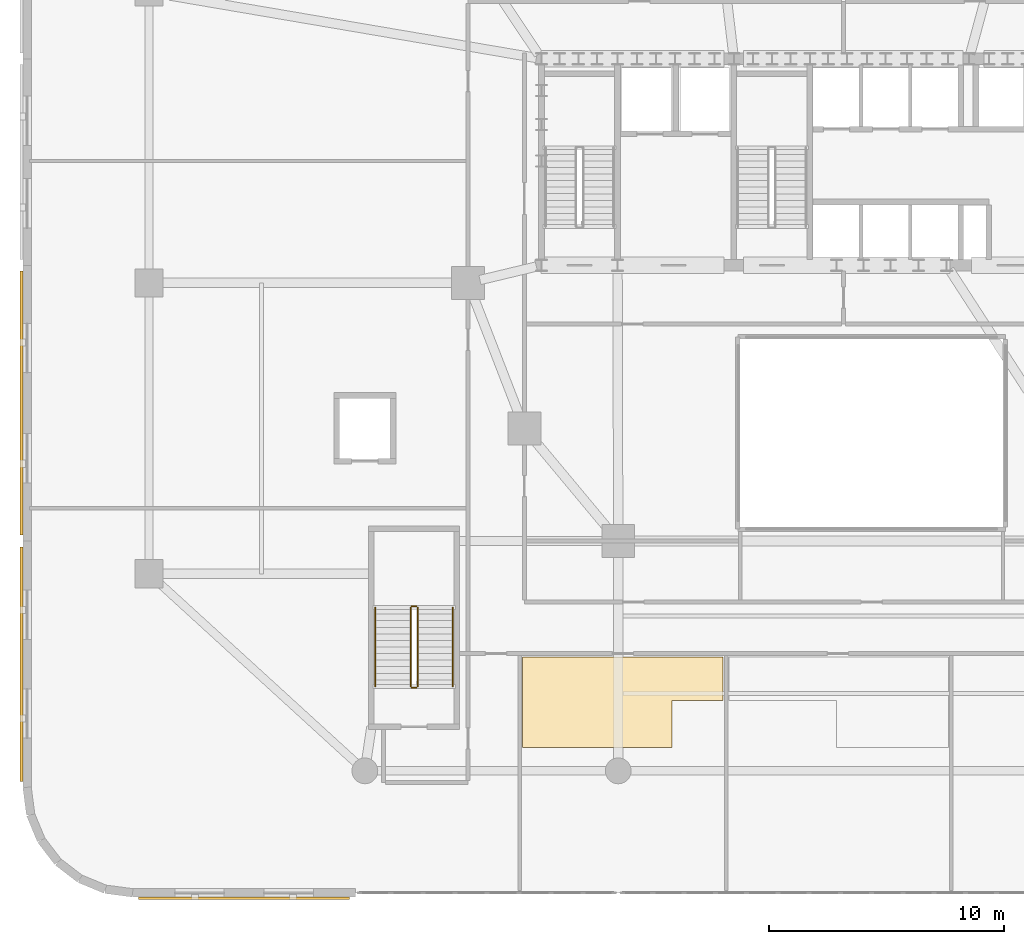
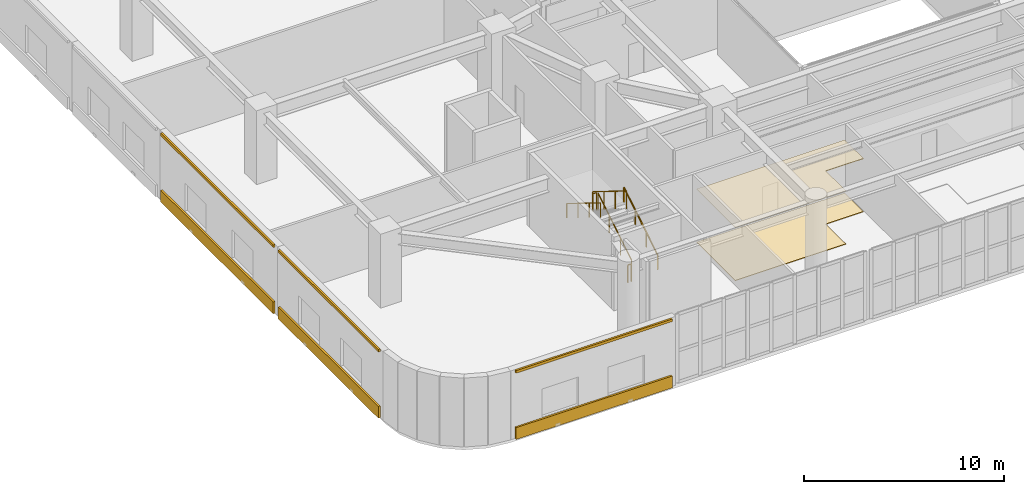
# One storey, part 19 of 25: 8 coverings, 6 railings.
"""IFC4 building model written with IfcOpenShell, lengths in metres."""

from ifc_helpers import new_model, si_unit, direction, frame, origin, origin_2d, place, context, subcontext, project, spatial, polyline, rectangle, outline, extrude, material, layer, layer_set, type_object, element, save


model = new_model("IFC4")

# Units and contexts
model_context = context("Model", 3, precision=1e-05, world=origin(), true_north=direction((0.0, 1.0)))
body_context = subcontext(model_context, "Body", "Model", "MODEL_VIEW")
ifc_project = project(units=[si_unit("LENGTHUNIT", "METRE"), si_unit("AREAUNIT", "SQUARE_METRE"), si_unit("VOLUMEUNIT", "CUBIC_METRE"), si_unit("PLANEANGLEUNIT", "RADIAN"), si_unit("MASSUNIT", "GRAM", prefix="KILO")], contexts=[model_context])

# Site, building, storey
site_placement = place(None, origin())
site = spatial("IfcSite", under=ifc_project, at=site_placement, CompositionType="ELEMENT")
building_placement = place(site_placement, origin())
building = spatial("IfcBuilding", under=site, at=building_placement, Name="Haldorwick Loom Tower", CompositionType="ELEMENT")
storey_placement = place(building_placement, frame((0.0, 0.0, 15.0)))
storey = spatial("IfcBuildingStorey", under=building, at=storey_placement, Name="L03", CompositionType="ELEMENT", Elevation=15.0)

# Coverings
ifc_material_1 = material(Name="Corbelled Pressed Clay Face Brick Veneer", Category="masonry")
ifc_layer_1 = layer(ifc_material_1, 0.110107421875, Name="Corbelled Pressed Clay Face Brick Veneer", Category="masonry")
ifc_layer_set_1 = layer_set([ifc_layer_1], Name="Corbelled Pressed Clay Face Brick Veneer")
covering_type_1 = type_object("IfcCoveringType", Name="ARC-COV-BRICK110", PredefinedType="CLADDING", material=ifc_layer_set_1)
covering_1_placement = place(storey_placement, origin())
element("IfcCovering", 1, at=covering_1_placement, inside=storey, type_object=covering_type_1, Name="L03 Sill Face-Brick Spandrel 30", PredefinedType="CLADDING", context=body_context, shape_type="SweptSolid", body=[
    extrude(outline(polyline([(-0.2900390625, 26.5), (-0.2900390625, 15.25), (-0.179931640625, 15.25), (-0.179931640625, 26.5), (-0.2900390625, 26.5)])), origin(), (0.0, 0.0, 1.0), 0.719970703125),
])
covering_2_placement = place(storey_placement, frame((0.0, 0.0, 4.0400390625)))
element("IfcCovering", 2, at=covering_2_placement, inside=storey, type_object=covering_type_1, Name="L03 Head Face-Brick Lintel Band 30", PredefinedType="CLADDING", context=body_context, shape_type="SweptSolid", body=[
    extrude(outline(polyline([(-0.2900390625, 26.5), (-0.2900390625, 15.25), (-0.179931640625, 15.25), (-0.179931640625, 26.5), (-0.2900390625, 26.5)])), origin(), (0.0, 0.0, 1.0), 0.159912109375),
])
covering_3_placement = place(storey_placement, origin())
element("IfcCovering", 3, at=covering_3_placement, inside=storey, type_object=covering_type_1, Name="L03 Sill Face-Brick Spandrel 31", PredefinedType="CLADDING", context=body_context, shape_type="SweptSolid", body=[
    extrude(outline(polyline([(-0.2900390625, 14.75), (-0.2900390625, 4.75), (-0.179931640625, 4.75), (-0.179931640625, 14.75), (-0.2900390625, 14.75)])), origin(), (0.0, 0.0, 1.0), 0.719970703125),
])
covering_4_placement = place(storey_placement, frame((0.0, 0.0, 4.0400390625)))
element("IfcCovering", 4, at=covering_4_placement, inside=storey, type_object=covering_type_1, Name="L03 Head Face-Brick Lintel Band 31", PredefinedType="CLADDING", context=body_context, shape_type="SweptSolid", body=[
    extrude(outline(polyline([(-0.2900390625, 14.75), (-0.2900390625, 4.75), (-0.179931640625, 4.75), (-0.179931640625, 14.75), (-0.2900390625, 14.75)])), origin(), (0.0, 0.0, 1.0), 0.159912109375),
])
covering_5_placement = place(storey_placement, origin())
element("IfcCovering", 5, at=covering_5_placement, inside=storey, type_object=covering_type_1, Name="L03 Sill Face-Brick Spandrel 38", PredefinedType="CLADDING", context=body_context, shape_type="SweptSolid", body=[
    extrude(outline(polyline([(4.75, -0.2900390625), (13.75, -0.2900390625), (13.75, -0.179931640625), (4.75, -0.179931640625), (4.75, -0.2900390625)])), origin(), (0.0, 0.0, 1.0), 0.719970703125),
])
covering_6_placement = place(storey_placement, frame((0.0, 0.0, 4.0400390625)))
element("IfcCovering", 6, at=covering_6_placement, inside=storey, type_object=covering_type_1, Name="L03 Head Face-Brick Lintel Band 38", PredefinedType="CLADDING", context=body_context, shape_type="SweptSolid", body=[
    extrude(outline(polyline([(4.75, -0.2900390625), (13.75, -0.2900390625), (13.75, -0.179931640625), (4.75, -0.179931640625), (4.75, -0.2900390625)])), origin(), (0.0, 0.0, 1.0), 0.159912109375),
])
ifc_material_2 = material(Name="Mineral Fibre Acoustic Ceiling Tile")
ifc_layer_2 = layer(ifc_material_2, 0.0400390625, Name="Mineral Fibre Acoustic Ceiling Tile")
ifc_layer_set_2 = layer_set([ifc_layer_2], Name="Mineral Fibre Acoustic Ceiling Tile")
covering_type_2 = type_object("IfcCoveringType", Name="ARC-COV-CEIL", PredefinedType="CEILING", material=ifc_layer_set_2)
covering_7_placement = place(storey_placement, frame((0.0, 0.0, 3.22509765625)))
element("IfcCovering", 7, at=covering_7_placement, inside=storey, type_object=covering_type_2, Name="L03 Acoustic Suspended Ceiling 1", PredefinedType="CEILING", context=body_context, shape_type="SweptSolid", body=[
    extrude(outline(polyline([(21.1298828125, 6.199951171875), (27.5, 6.199951171875), (27.5, 8.199951171875), (29.669921875, 8.199951171875), (29.669921875, 10.06005859375), (21.1298828125, 10.06005859375), (21.1298828125, 6.199951171875)])), origin(), (0.0, 0.0, 1.0), 0.039794921875),
])
ifc_material_3 = material(Name="Polished Aggregate Terrazzo Finish")
ifc_layer_3 = layer(ifc_material_3, 0.030029296875, Name="Polished Aggregate Terrazzo Finish")
ifc_layer_set_3 = layer_set([ifc_layer_3], Name="Polished Aggregate Terrazzo Finish")
covering_type_3 = type_object("IfcCoveringType", Name="ARC-COV-FLOOR", PredefinedType="FLOORING", material=ifc_layer_set_3)
covering_8_placement = place(storey_placement, origin())
element("IfcCovering", 8, at=covering_8_placement, inside=storey, type_object=covering_type_3, Name="L03 Floor Finish 1", PredefinedType="FLOORING", context=body_context, shape_type="SweptSolid", body=[
    extrude(outline(polyline([(21.1298828125, 6.199951171875), (27.5, 6.199951171875), (27.5, 8.199951171875), (29.669921875, 8.199951171875), (29.669921875, 10.06005859375), (21.1298828125, 10.06005859375), (21.1298828125, 6.199951171875)])), origin(), (0.0, 0.0, 1.0), 0.030029296875),
])

# Railings
ifc_material_4 = material(Name="Steel CSA G40.21 350W", Category="steel")
railing_type_1 = type_object("IfcRailingType", Name="ARC-RLG-GUARD112", PredefinedType="GUARDRAIL", material=ifc_material_4)
railing_1_placement = place(storey_placement, frame((16.64990234375, 8.800048828125, 0.173095703125)))
element("IfcRailing", 9, at=railing_1_placement, inside=storey, type_object=railing_type_1, Name="L03 ST-P1 stair guard 1", PredefinedType="GUARDRAIL", context=body_context, shape_type="SweptSolid", body=[
    extrude(rectangle(XDim=0.048095703125, YDim=0.048095703125, at=origin_2d()), frame((0.0, 0.0, 1.076171875), z_axis=(0.0, 0.850606129759, 0.525803396734), x_axis=(-1.0, 0.0, 0.0)), (0.0, 0.0, 1.0), 3.949951171875),
    extrude(rectangle(XDim=0.0419921875, YDim=0.0419921875, at=origin_2d()), origin(), (0.0, 0.0, 1.0), 1.052001953125),
    extrude(rectangle(XDim=0.0419921875, YDim=0.0419921875, at=origin_2d()), frame((0.0, 1.119873046875, 0.6923828125)), (0.0, 0.0, 1.0), 1.052001953125),
    extrude(rectangle(XDim=0.0419921875, YDim=0.0419921875, at=origin_2d()), frame((0.0, 2.239990234375, 1.384521484375)), (0.0, 0.0, 1.0), 1.052001953125),
    extrude(rectangle(XDim=0.0419921875, YDim=0.0419921875, at=origin_2d()), frame((0.0, 3.35986328125, 2.076904296875)), (0.0, 0.0, 1.0), 1.052001953125),
])
railing_2_placement = place(storey_placement, frame((16.60009765625, 12.2099609375, 2.25)))
element("IfcRailing", 10, at=railing_2_placement, inside=storey, type_object=railing_type_1, Name="L03 ST-P1 stair guard 2", PredefinedType="GUARDRAIL", context=body_context, shape_type="SweptSolid", body=[
    extrude(rectangle(XDim=0.048095703125, YDim=0.048095703125, at=origin_2d()), frame((0.0, 0.0, 1.076171875), z_axis=(-1.0, 0.0, 0.0), x_axis=(0.0, -1.0, 0.0)), (0.0, 0.0, 1.0), 0.2001953125),
    extrude(rectangle(XDim=0.0419921875, YDim=0.0419921875, at=origin_2d()), origin(), (0.0, 0.0, 1.0), 1.052001953125),
    extrude(rectangle(XDim=0.0419921875, YDim=0.0419921875, at=origin_2d()), frame((-0.2001953125, 0.0, 0.0)), (0.0, 0.0, 1.0), 1.052001953125),
])
railing_3_placement = place(storey_placement, frame((16.35009765625, 12.159912109375, 2.423095703125)))
element("IfcRailing", 11, at=railing_3_placement, inside=storey, type_object=railing_type_1, Name="L03 ST-P1 stair guard 3", PredefinedType="GUARDRAIL", context=body_context, shape_type="SweptSolid", body=[
    extrude(rectangle(XDim=0.048095703125, YDim=0.048095703125, at=origin_2d()), frame((0.0, 0.0, 1.076171875), z_axis=(0.0, -0.850606129759, 0.525803396734), x_axis=(1.0, 0.0, 0.0)), (0.0, 0.0, 1.0), 3.949951171875),
    extrude(rectangle(XDim=0.0419921875, YDim=0.0419921875, at=origin_2d()), origin(), (0.0, 0.0, 1.0), 1.052001953125),
    extrude(rectangle(XDim=0.0419921875, YDim=0.0419921875, at=origin_2d()), frame((0.0, -1.119873046875, 0.6923828125)), (0.0, 0.0, 1.0), 1.052001953125),
    extrude(rectangle(XDim=0.0419921875, YDim=0.0419921875, at=origin_2d()), frame((0.0, -2.239990234375, 1.384521484375)), (0.0, 0.0, 1.0), 1.052001953125),
    extrude(rectangle(XDim=0.0419921875, YDim=0.0419921875, at=origin_2d()), frame((0.0, -3.35986328125, 2.076904296875)), (0.0, 0.0, 1.0), 1.052001953125),
])
railing_4_placement = place(storey_placement, frame((16.60009765625, 8.75, 0.0)))
element("IfcRailing", 12, at=railing_4_placement, inside=storey, type_object=railing_type_1, Name="L03 ST-P1 stair guard 4", PredefinedType="GUARDRAIL", context=body_context, shape_type="SweptSolid", body=[
    extrude(rectangle(XDim=0.048095703125, YDim=0.048095703125, at=origin_2d()), frame((0.0, 0.0, 1.076171875), z_axis=(-1.0, 0.0, 0.0), x_axis=(0.0, -1.0, 0.0)), (0.0, 0.0, 1.0), 0.2001953125),
    extrude(rectangle(XDim=0.0419921875, YDim=0.0419921875, at=origin_2d()), origin(), (0.0, 0.0, 1.0), 1.052001953125),
    extrude(rectangle(XDim=0.0419921875, YDim=0.0419921875, at=origin_2d()), frame((-0.2001953125, 0.0, 0.0)), (0.0, 0.0, 1.0), 1.052001953125),
])
railing_type_2 = type_object("IfcRailingType", Name="ARC-RLG-HAND092", PredefinedType="HANDRAIL", material=ifc_material_4)
railing_5_placement = place(storey_placement, frame((18.14990234375, 8.800048828125, 0.173095703125)))
element("IfcRailing", 13, at=railing_5_placement, inside=storey, type_object=railing_type_2, Name="L03 ST-P1 stair handrail 1", PredefinedType="HANDRAIL", context=body_context, shape_type="SweptSolid", body=[
    extrude(rectangle(XDim=0.048095703125, YDim=0.048095703125, at=origin_2d()), frame((0.0, 0.0, 0.8759765625), z_axis=(0.0, 0.850606129759, 0.525803396734), x_axis=(-1.0, 0.0, 0.0)), (0.0, 0.0, 1.0), 3.949951171875),
    extrude(rectangle(XDim=0.0419921875, YDim=0.0419921875, at=origin_2d()), origin(), (0.0, 0.0, 1.0), 0.851806640625),
    extrude(rectangle(XDim=0.0419921875, YDim=0.0419921875, at=origin_2d()), frame((0.0, 1.119873046875, 0.6923828125)), (0.0, 0.0, 1.0), 0.851806640625),
    extrude(rectangle(XDim=0.0419921875, YDim=0.0419921875, at=origin_2d()), frame((0.0, 2.239990234375, 1.384521484375)), (0.0, 0.0, 1.0), 0.851806640625),
    extrude(rectangle(XDim=0.0419921875, YDim=0.0419921875, at=origin_2d()), frame((0.0, 3.35986328125, 2.076904296875)), (0.0, 0.0, 1.0), 0.851806640625),
])
railing_6_placement = place(storey_placement, frame((14.85009765625, 12.159912109375, 2.423095703125)))
element("IfcRailing", 14, at=railing_6_placement, inside=storey, type_object=railing_type_2, Name="L03 ST-P1 stair handrail 2", PredefinedType="HANDRAIL", context=body_context, shape_type="SweptSolid", body=[
    extrude(rectangle(XDim=0.048095703125, YDim=0.048095703125, at=origin_2d()), frame((0.0, 0.0, 0.8759765625), z_axis=(0.0, -0.850606129759, 0.525803396734), x_axis=(1.0, 0.0, 0.0)), (0.0, 0.0, 1.0), 3.949951171875),
    extrude(rectangle(XDim=0.0419921875, YDim=0.0419921875, at=origin_2d()), origin(), (0.0, 0.0, 1.0), 0.851806640625),
    extrude(rectangle(XDim=0.0419921875, YDim=0.0419921875, at=origin_2d()), frame((0.0, -1.119873046875, 0.6923828125)), (0.0, 0.0, 1.0), 0.851806640625),
    extrude(rectangle(XDim=0.0419921875, YDim=0.0419921875, at=origin_2d()), frame((0.0, -2.239990234375, 1.384521484375)), (0.0, 0.0, 1.0), 0.851806640625),
    extrude(rectangle(XDim=0.0419921875, YDim=0.0419921875, at=origin_2d()), frame((0.0, -3.35986328125, 2.076904296875)), (0.0, 0.0, 1.0), 0.851806640625),
])

save(model, "model.ifc")
